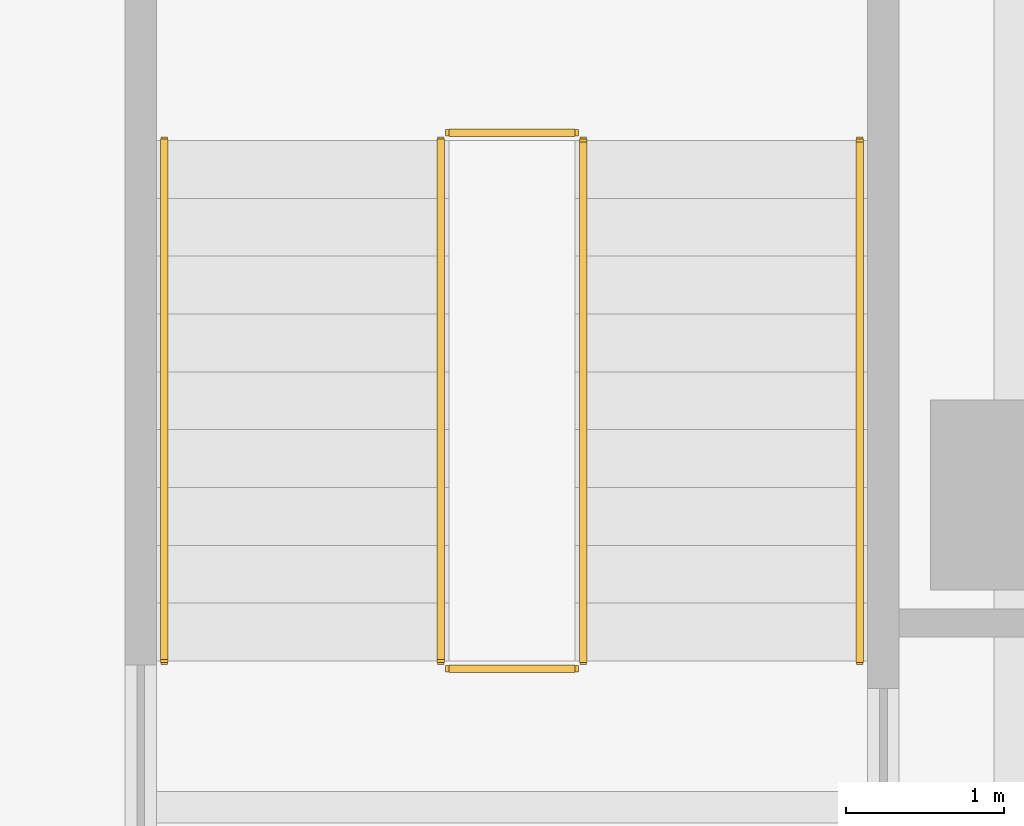
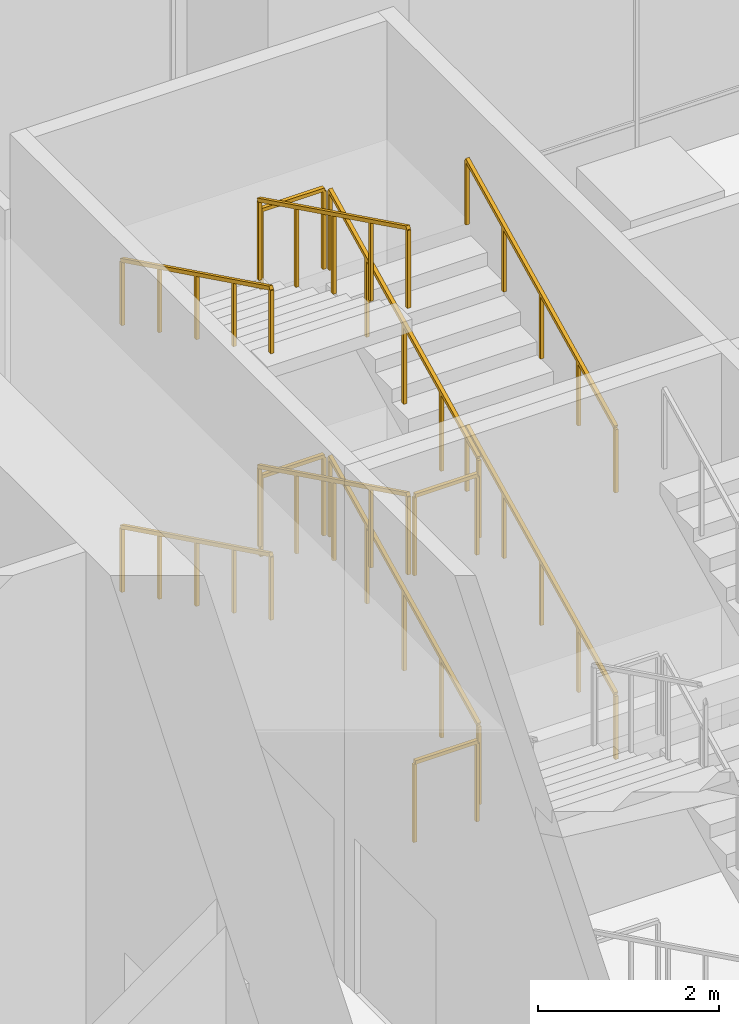
# One storey, part 40 of 41: 12 railings.
"""IFC4 building model written with IfcOpenShell, lengths in metres."""

import ifcopenshell
import ifcopenshell.guid

model = None  # the IFC model being written
_history = None  # IfcOwnerHistory: only IFC2X3 demands one
_inside = {}  # id of a spatial element -> (the spatial element, [elements in it])
_under = {}  # id of a project, library or spatial element -> (it, [spatial elements below it])
_declared = {}  # id of a project -> (the project, [libraries it declares])
_typed = {}  # id of a type object -> (the type object, [elements of that type])
_made_of = {}  # id of a material, layer set ... -> (it, [elements and type objects made of it])


def new_model(schema):
    """Start an empty IFC model of exactly this schema.

    Asked for "IFC4X3", IfcOpenShell would pick the latest addendum, in which some entities
    have other attributes; the version numbers below select the first issue.
    IFC2X3 requires an IfcOwnerHistory on every rooted entity: one is made here for all.
    """
    global model, _history
    if schema == "IFC4X3":
        model = ifcopenshell.file(schema_version=(4, 3, 0, 0))
    else:
        model = ifcopenshell.file(schema=schema)
    _inside.clear()
    _under.clear()
    _declared.clear()
    _typed.clear()
    _made_of.clear()
    _history = None
    if model.schema == "IFC2X3":
        org = make("IfcOrganization", Name="unknown")
        user = make(
            "IfcPersonAndOrganization",
            ThePerson=make("IfcPerson", FamilyName="unknown"),
            TheOrganization=org,
        )
        app = make(
            "IfcApplication",
            ApplicationDeveloper=org,
            Version="unknown",
            ApplicationFullName="unknown",
            ApplicationIdentifier="unknown",
        )
        _history = make(
            "IfcOwnerHistory",
            OwningUser=user,
            OwningApplication=app,
            ChangeAction="ADDED",
            CreationDate=0,
        )
    return model


def make(cls, **values):
    """One entity of the class cls with the attributes given. An attribute that is None is left unset."""
    return model.create_entity(
        cls, **{name: value for name, value in values.items() if value is not None}
    )


def rooted(cls, **values):
    """An entity with a GlobalId (a new one), such as an element, a storey or a relation."""
    return make(cls, GlobalId=ifcopenshell.guid.new(), OwnerHistory=_history, **values)


def si_unit(unit_type, name, prefix=None):
    """IfcSIUnit, for example si_unit("LENGTHUNIT", "METRE", prefix="MILLI")."""
    return make("IfcSIUnit", UnitType=unit_type, Prefix=prefix, Name=name)


def assignment(units):
    """IfcUnitAssignment: the units of a project."""
    return None if units is None else make("IfcUnitAssignment", Units=units)


def point(xyz):
    """IfcCartesianPoint."""
    return None if xyz is None else make("IfcCartesianPoint", Coordinates=xyz)


def direction(xyz):
    """IfcDirection."""
    return None if xyz is None else make("IfcDirection", DirectionRatios=xyz)


def frame(location, z_axis=None, x_axis=None):
    """IfcAxis2Placement3D, a coordinate frame: its origin and axes. An axis left out is left unset."""
    return make(
        "IfcAxis2Placement3D",
        Location=point(location),
        Axis=direction(z_axis),
        RefDirection=direction(x_axis),
    )


def frame_2d(location, x_axis=None):
    """IfcAxis2Placement2D, a coordinate frame in the plane: its origin and x axis."""
    return make(
        "IfcAxis2Placement2D", Location=point(location), RefDirection=direction(x_axis)
    )


def origin():
    """The frame at (0, 0, 0) with its axes left unset."""
    return frame((0.0, 0.0, 0.0))


def origin_2d():
    """The frame at (0, 0) in the plane with its x axis left unset."""
    return frame_2d((0.0, 0.0))


def place(relative_to, where):
    """IfcLocalPlacement: puts the frame where relative to a parent placement (None: the world)."""
    return make(
        "IfcLocalPlacement", PlacementRelTo=relative_to, RelativePlacement=where
    )


def context(
    kind, dimensions, precision=None, world=None, true_north=None, identifier=None
):
    """IfcGeometricRepresentationContext, for example the 3D "Model" context."""
    return make(
        "IfcGeometricRepresentationContext",
        ContextIdentifier=identifier,
        ContextType=kind,
        CoordinateSpaceDimension=dimensions,
        Precision=precision,
        WorldCoordinateSystem=world,
        TrueNorth=true_north,
    )


def subcontext(parent, identifier, kind, view, scale=None):
    """IfcGeometricRepresentationSubContext, for example "Body" below "Model"."""
    return make(
        "IfcGeometricRepresentationSubContext",
        ContextIdentifier=identifier,
        ContextType=kind,
        ParentContext=parent,
        TargetScale=scale,
        TargetView=view,
    )


def project(units=None, contexts=None):
    """IfcProject with its units and contexts."""
    return rooted(
        "IfcProject",
        Name="project",
        RepresentationContexts=contexts,
        UnitsInContext=assignment(units),
    )


def spatial(cls, under=None, at=None, **own):
    """A site, building, storey or space (cls), placed at a placement, below another one or the project."""
    s = rooted(cls, ObjectPlacement=at, **own)
    if under is not None:
        _under.setdefault(under.id(), (under, []))[1].append(s)
    return s


def profile(cls, at=None, kind="AREA", **sizes):
    """A parametric profile (cls). Its sizes go by their IFC names, for example OverallWidth=200.0."""
    return make(cls, ProfileType=kind, Position=at, **sizes)


def rectangle(**sizes):
    """IfcRectangleProfileDef."""
    return profile("IfcRectangleProfileDef", **sizes)


def extrude(swept, where, along, depth):
    """IfcExtrudedAreaSolid: the profile swept, set in the frame where, extruded along a direction by depth."""
    return make(
        "IfcExtrudedAreaSolid",
        SweptArea=swept,
        Position=where,
        ExtrudedDirection=direction(along),
        Depth=depth,
    )


def shape(context_of_items, identifier, shape_type, items):
    """IfcShapeRepresentation: the items that make up one representation, for example the "Body"."""
    return make(
        "IfcShapeRepresentation",
        ContextOfItems=context_of_items,
        RepresentationIdentifier=identifier,
        RepresentationType=shape_type,
        Items=items,
    )


def material(Name=None, Category=None):
    """IfcMaterial."""
    return make("IfcMaterial", Name=Name, Category=Category)


def made_of(thing, what):
    """Note that an element or type object is made of a material, layer set ...; save() writes the relation."""
    if what is not None:
        _made_of.setdefault(what.id(), (what, []))[1].append(thing)
    return thing


def type_object(cls, material=None, **own):
    """A type object (cls), such as IfcWallType, which elements share."""
    return made_of(rooted(cls, **own), material)


def element(
    cls,
    number,
    at=None,
    inside=None,
    cuts=None,
    type_object=None,
    material=None,
    context=None,
    identifier="Body",
    shape_type=None,
    held_by="IfcProductDefinitionShape",
    body=None,
    shapes=None,
    **own,
):
    """One element of the class cls, such as IfcWall. Its Tag is "e" and its number.

    at: its placement. inside: the storey or other place that contains it. cuts: it is an
    opening in that element (IfcRelVoidsElement). A single representation is given by context,
    identifier, shape_type and body (its items); several are given by shapes. held_by: the class
    of the entity that holds the representations. save() writes the other relations.
    """
    e = rooted(cls, Tag="e%d" % number, ObjectPlacement=at, **own)
    if body is not None:
        shapes = [shape(context, identifier, shape_type, body)]
    if shapes is not None:
        e.Representation = make(held_by, Representations=shapes)
    if inside is not None:
        _inside.setdefault(inside.id(), (inside, []))[1].append(e)
    if cuts is not None:
        rooted(
            "IfcRelVoidsElement", RelatingBuildingElement=cuts, RelatedOpeningElement=e
        )
    if type_object is not None:
        _typed.setdefault(type_object.id(), (type_object, []))[1].append(e)
    return made_of(e, material)


def aggregate(whole, parts):
    """IfcRelAggregates: a whole, such as a stair, and the parts it consists of."""
    return rooted("IfcRelAggregates", RelatingObject=whole, RelatedObjects=parts)


def save(model, path):
    """Write the relations noted so far, then the file.

    IfcRelAggregates (storeys below a building ...), IfcRelContainedInSpatialStructure (elements
    in a storey), IfcRelDefinesByType, IfcRelAssociatesMaterial and IfcRelDeclares: one each for
    every whole, place, type object, material and project.
    """
    for whole, parts in _under.values():
        aggregate(whole, parts)
    for where, things in _inside.values():
        rooted(
            "IfcRelContainedInSpatialStructure",
            RelatedElements=things,
            RelatingStructure=where,
        )
    for kind, things in _typed.values():
        rooted("IfcRelDefinesByType", RelatedObjects=things, RelatingType=kind)
    for what, things in _made_of.values():
        rooted("IfcRelAssociatesMaterial", RelatedObjects=things, RelatingMaterial=what)
    for by, libraries in _declared.values():
        rooted("IfcRelDeclares", RelatingContext=by, RelatedDefinitions=libraries)
    model.write(path)


model = new_model("IFC4")

# Units and contexts
model_context = context("Model", 3, precision=1e-05, world=origin(), true_north=direction((0.0, 1.0)))
body_context = subcontext(model_context, "Body", "Model", "MODEL_VIEW")
ifc_project = project(units=[si_unit("LENGTHUNIT", "METRE"), si_unit("AREAUNIT", "SQUARE_METRE"), si_unit("VOLUMEUNIT", "CUBIC_METRE"), si_unit("PLANEANGLEUNIT", "RADIAN"), si_unit("MASSUNIT", "GRAM", prefix="KILO")], contexts=[model_context])

# Site, building, storey
site_placement = place(None, origin())
site = spatial("IfcSite", under=ifc_project, at=site_placement, CompositionType="ELEMENT")
building_placement = place(site_placement, origin())
building = spatial("IfcBuilding", under=site, at=building_placement, Name="Rattan Terrace Tower", CompositionType="ELEMENT")
storey_placement = place(building_placement, origin())
storey = spatial("IfcBuildingStorey", under=building, at=storey_placement, Name="L00", CompositionType="ELEMENT", Elevation=0.0)

# Railings
ifc_material_1 = material(Name="Powder-coated steel guard", Category="steel")
railing_type_1 = type_object("IfcRailingType", Name="Core stair guard", PredefinedType="GUARDRAIL", material=ifc_material_1)
railing_1_placement = place(storey_placement, frame((23.300048828125, 2.050048828125, 0.179931640625)))
element("IfcRailing", 1, at=railing_1_placement, inside=storey, type_object=railing_type_1, Name="L00 S7 stair guard 1", PredefinedType="GUARDRAIL", context=body_context, shape_type="SweptSolid", body=[
    extrude(rectangle(XDim=0.048095703125, YDim=0.048095703125, at=origin_2d()), frame((0.0, 0.0, 1.076171875), z_axis=(0.0, 0.897334421457, 0.441351261547), x_axis=(-1.0, 0.0, 0.0)), (0.0, 0.0, 1.0), 3.6708984375),
    extrude(rectangle(XDim=0.0419921875, YDim=0.0419921875, at=origin_2d()), origin(), (0.0, 0.0, 1.0), 1.052001953125),
    extrude(rectangle(XDim=0.0419921875, YDim=0.0419921875, at=origin_2d()), frame((0.0, 0.823486328125, 0.405029296875)), (0.0, 0.0, 1.0), 1.052001953125),
    extrude(rectangle(XDim=0.0419921875, YDim=0.0419921875, at=origin_2d()), frame((0.0, 1.64697265625, 0.81005859375)), (0.0, 0.0, 1.0), 1.052001953125),
    extrude(rectangle(XDim=0.0419921875, YDim=0.0419921875, at=origin_2d()), frame((0.0, 2.470458984375, 1.215087890625)), (0.0, 0.0, 1.0), 1.052001953125),
    extrude(rectangle(XDim=0.0419921875, YDim=0.0419921875, at=origin_2d()), frame((0.0, 3.2939453125, 1.6201171875)), (0.0, 0.0, 1.0), 1.052001953125),
])
railing_2_placement = place(storey_placement, frame((23.25, 5.39404296875, 1.800048828125)))
element("IfcRailing", 2, at=railing_2_placement, inside=storey, type_object=railing_type_1, Name="L00 S7 stair guard 2", PredefinedType="GUARDRAIL", context=body_context, shape_type="SweptSolid", body=[
    extrude(rectangle(XDim=0.048095703125, YDim=0.048095703125, at=origin_2d()), frame((0.0, 0.0, 1.076171875), z_axis=(-1.0, 0.0, 0.0), x_axis=(0.0, -1.0, 0.0)), (0.0, 0.0, 1.0), 0.800048828125),
    extrude(rectangle(XDim=0.0419921875, YDim=0.0419921875, at=origin_2d()), origin(), (0.0, 0.0, 1.0), 1.052001953125),
    extrude(rectangle(XDim=0.0419921875, YDim=0.0419921875, at=origin_2d()), frame((-0.800048828125, 0.0, 0.0)), (0.0, 0.0, 1.0), 1.052001953125),
])
railing_3_placement = place(storey_placement, frame((22.39990234375, 5.343994140625, 1.97998046875)))
element("IfcRailing", 3, at=railing_3_placement, inside=storey, type_object=railing_type_1, Name="L00 S7 stair guard 3", PredefinedType="GUARDRAIL", context=body_context, shape_type="SweptSolid", body=[
    extrude(rectangle(XDim=0.048095703125, YDim=0.048095703125, at=origin_2d()), frame((0.0, 0.0, 1.076171875), z_axis=(0.0, -0.897334421457, 0.441351261547), x_axis=(1.0, 0.0, 0.0)), (0.0, 0.0, 1.0), 3.6708984375),
    extrude(rectangle(XDim=0.0419921875, YDim=0.0419921875, at=origin_2d()), origin(), (0.0, 0.0, 1.0), 1.052001953125),
    extrude(rectangle(XDim=0.0419921875, YDim=0.0419921875, at=origin_2d()), frame((0.0, -0.823486328125, 0.405029296875)), (0.0, 0.0, 1.0), 1.052001953125),
    extrude(rectangle(XDim=0.0419921875, YDim=0.0419921875, at=origin_2d()), frame((0.0, -1.64697265625, 0.81005859375)), (0.0, 0.0, 1.0), 1.052001953125),
    extrude(rectangle(XDim=0.0419921875, YDim=0.0419921875, at=origin_2d()), frame((0.0, -2.470458984375, 1.215087890625)), (0.0, 0.0, 1.0), 1.052001953125),
    extrude(rectangle(XDim=0.0419921875, YDim=0.0419921875, at=origin_2d()), frame((0.0, -3.2939453125, 1.6201171875)), (0.0, 0.0, 1.0), 1.052001953125),
])
railing_4_placement = place(storey_placement, frame((23.25, 2.0, 3.60009765625)))
element("IfcRailing", 4, at=railing_4_placement, inside=storey, type_object=railing_type_1, Name="L00 S7 stair guard 4", PredefinedType="GUARDRAIL", context=body_context, shape_type="SweptSolid", body=[
    extrude(rectangle(XDim=0.048095703125, YDim=0.048095703125, at=origin_2d()), frame((0.0, 0.0, 1.076171875), z_axis=(-1.0, 0.0, 0.0), x_axis=(0.0, -1.0, 0.0)), (0.0, 0.0, 1.0), 0.800048828125),
    extrude(rectangle(XDim=0.0419921875, YDim=0.0419921875, at=origin_2d()), origin(), (0.0, 0.0, 1.0), 1.052001953125),
    extrude(rectangle(XDim=0.0419921875, YDim=0.0419921875, at=origin_2d()), frame((-0.800048828125, 0.0, 0.0)), (0.0, 0.0, 1.0), 1.052001953125),
])
railing_5_placement = place(storey_placement, frame((23.300048828125, 2.050048828125, 3.780029296875)))
element("IfcRailing", 5, at=railing_5_placement, inside=storey, type_object=railing_type_1, Name="L00 S7 stair guard 5", PredefinedType="GUARDRAIL", context=body_context, shape_type="SweptSolid", body=[
    extrude(rectangle(XDim=0.048095703125, YDim=0.048095703125, at=origin_2d()), frame((0.0, 0.0, 1.076171875), z_axis=(0.0, 0.897360760688, 0.441297705838), x_axis=(-1.0, 0.0, 0.0)), (0.0, 0.0, 1.0), 3.670654296875),
    extrude(rectangle(XDim=0.0419921875, YDim=0.0419921875, at=origin_2d()), origin(), (0.0, 0.0, 1.0), 1.052001953125),
    extrude(rectangle(XDim=0.0419921875, YDim=0.0419921875, at=origin_2d()), frame((0.0, 0.823486328125, 0.405029296875)), (0.0, 0.0, 1.0), 1.052001953125),
    extrude(rectangle(XDim=0.0419921875, YDim=0.0419921875, at=origin_2d()), frame((0.0, 1.64697265625, 0.81005859375)), (0.0, 0.0, 1.0), 1.052001953125),
    extrude(rectangle(XDim=0.0419921875, YDim=0.0419921875, at=origin_2d()), frame((0.0, 2.470458984375, 1.21484375)), (0.0, 0.0, 1.0), 1.052001953125),
    extrude(rectangle(XDim=0.0419921875, YDim=0.0419921875, at=origin_2d()), frame((0.0, 3.2939453125, 1.619873046875)), (0.0, 0.0, 1.0), 1.052001953125),
])
railing_6_placement = place(storey_placement, frame((23.25, 5.39404296875, 5.39990234375)))
element("IfcRailing", 6, at=railing_6_placement, inside=storey, type_object=railing_type_1, Name="L00 S7 stair guard 6", PredefinedType="GUARDRAIL", context=body_context, shape_type="SweptSolid", body=[
    extrude(rectangle(XDim=0.048095703125, YDim=0.048095703125, at=origin_2d()), frame((0.0, 0.0, 1.076171875), z_axis=(-1.0, 0.0, 0.0), x_axis=(0.0, -1.0, 0.0)), (0.0, 0.0, 1.0), 0.800048828125),
    extrude(rectangle(XDim=0.0419921875, YDim=0.0419921875, at=origin_2d()), origin(), (0.0, 0.0, 1.0), 1.052001953125),
    extrude(rectangle(XDim=0.0419921875, YDim=0.0419921875, at=origin_2d()), frame((-0.800048828125, 0.0, 0.0)), (0.0, 0.0, 1.0), 1.052001953125),
])
railing_7_placement = place(storey_placement, frame((22.39990234375, 5.343994140625, 5.580078125)))
element("IfcRailing", 7, at=railing_7_placement, inside=storey, type_object=railing_type_1, Name="L00 S7 stair guard 7", PredefinedType="GUARDRAIL", context=body_context, shape_type="SweptSolid", body=[
    extrude(rectangle(XDim=0.048095703125, YDim=0.048095703125, at=origin_2d()), frame((0.0, 0.0, 1.076171875), z_axis=(0.0, -0.897360760688, 0.441297705838), x_axis=(1.0, 0.0, 0.0)), (0.0, 0.0, 1.0), 3.670654296875),
    extrude(rectangle(XDim=0.0419921875, YDim=0.0419921875, at=origin_2d()), origin(), (0.0, 0.0, 1.0), 1.052001953125),
    extrude(rectangle(XDim=0.0419921875, YDim=0.0419921875, at=origin_2d()), frame((0.0, -0.823486328125, 0.405029296875)), (0.0, 0.0, 1.0), 1.052001953125),
    extrude(rectangle(XDim=0.0419921875, YDim=0.0419921875, at=origin_2d()), frame((0.0, -1.64697265625, 0.81005859375)), (0.0, 0.0, 1.0), 1.052001953125),
    extrude(rectangle(XDim=0.0419921875, YDim=0.0419921875, at=origin_2d()), frame((0.0, -2.470458984375, 1.21484375)), (0.0, 0.0, 1.0), 1.052001953125),
    extrude(rectangle(XDim=0.0419921875, YDim=0.0419921875, at=origin_2d()), frame((0.0, -3.2939453125, 1.619873046875)), (0.0, 0.0, 1.0), 1.052001953125),
])
railing_8_placement = place(storey_placement, frame((23.25, 2.0, 0.0)))
element("IfcRailing", 8, at=railing_8_placement, inside=storey, type_object=railing_type_1, Name="L00 S7 stair guard 8", PredefinedType="GUARDRAIL", context=body_context, shape_type="SweptSolid", body=[
    extrude(rectangle(XDim=0.048095703125, YDim=0.048095703125, at=origin_2d()), frame((0.0, 0.0, 1.076171875), z_axis=(-1.0, 0.0, 0.0), x_axis=(0.0, -1.0, 0.0)), (0.0, 0.0, 1.0), 0.800048828125),
    extrude(rectangle(XDim=0.0419921875, YDim=0.0419921875, at=origin_2d()), origin(), (0.0, 0.0, 1.0), 1.052001953125),
    extrude(rectangle(XDim=0.0419921875, YDim=0.0419921875, at=origin_2d()), frame((-0.800048828125, 0.0, 0.0)), (0.0, 0.0, 1.0), 1.052001953125),
])
ifc_material_2 = material(Name="Powder-coated steel handrail", Category="steel")
railing_type_2 = type_object("IfcRailingType", Name="Core stair handrail", PredefinedType="HANDRAIL", material=ifc_material_2)
railing_9_placement = place(storey_placement, frame((25.050048828125, 2.050048828125, 0.179931640625)))
element("IfcRailing", 9, at=railing_9_placement, inside=storey, type_object=railing_type_2, Name="L00 S7 stair handrail 1", PredefinedType="HANDRAIL", context=body_context, shape_type="SweptSolid", body=[
    extrude(rectangle(XDim=0.048095703125, YDim=0.048095703125, at=origin_2d()), frame((0.0, 0.0, 0.8759765625), z_axis=(0.0, 0.897334421457, 0.441351261547), x_axis=(-1.0, 0.0, 0.0)), (0.0, 0.0, 1.0), 3.6708984375),
    extrude(rectangle(XDim=0.0419921875, YDim=0.0419921875, at=origin_2d()), origin(), (0.0, 0.0, 1.0), 0.851806640625),
    extrude(rectangle(XDim=0.0419921875, YDim=0.0419921875, at=origin_2d()), frame((0.0, 0.823486328125, 0.405029296875)), (0.0, 0.0, 1.0), 0.851806640625),
    extrude(rectangle(XDim=0.0419921875, YDim=0.0419921875, at=origin_2d()), frame((0.0, 1.64697265625, 0.81005859375)), (0.0, 0.0, 1.0), 0.851806640625),
    extrude(rectangle(XDim=0.0419921875, YDim=0.0419921875, at=origin_2d()), frame((0.0, 2.470458984375, 1.215087890625)), (0.0, 0.0, 1.0), 0.851806640625),
    extrude(rectangle(XDim=0.0419921875, YDim=0.0419921875, at=origin_2d()), frame((0.0, 3.2939453125, 1.6201171875)), (0.0, 0.0, 1.0), 0.851806640625),
])
railing_10_placement = place(storey_placement, frame((20.64990234375, 5.343994140625, 1.97998046875)))
element("IfcRailing", 10, at=railing_10_placement, inside=storey, type_object=railing_type_2, Name="L00 S7 stair handrail 2", PredefinedType="HANDRAIL", context=body_context, shape_type="SweptSolid", body=[
    extrude(rectangle(XDim=0.048095703125, YDim=0.048095703125, at=origin_2d()), frame((0.0, 0.0, 0.8759765625), z_axis=(0.0, -0.897334421457, 0.441351261547), x_axis=(1.0, 0.0, 0.0)), (0.0, 0.0, 1.0), 3.6708984375),
    extrude(rectangle(XDim=0.0419921875, YDim=0.0419921875, at=origin_2d()), origin(), (0.0, 0.0, 1.0), 0.851806640625),
    extrude(rectangle(XDim=0.0419921875, YDim=0.0419921875, at=origin_2d()), frame((0.0, -0.823486328125, 0.405029296875)), (0.0, 0.0, 1.0), 0.851806640625),
    extrude(rectangle(XDim=0.0419921875, YDim=0.0419921875, at=origin_2d()), frame((0.0, -1.64697265625, 0.81005859375)), (0.0, 0.0, 1.0), 0.851806640625),
    extrude(rectangle(XDim=0.0419921875, YDim=0.0419921875, at=origin_2d()), frame((0.0, -2.470458984375, 1.215087890625)), (0.0, 0.0, 1.0), 0.851806640625),
    extrude(rectangle(XDim=0.0419921875, YDim=0.0419921875, at=origin_2d()), frame((0.0, -3.2939453125, 1.6201171875)), (0.0, 0.0, 1.0), 0.851806640625),
])
railing_11_placement = place(storey_placement, frame((25.050048828125, 2.050048828125, 3.780029296875)))
element("IfcRailing", 11, at=railing_11_placement, inside=storey, type_object=railing_type_2, Name="L00 S7 stair handrail 3", PredefinedType="HANDRAIL", context=body_context, shape_type="SweptSolid", body=[
    extrude(rectangle(XDim=0.048095703125, YDim=0.048095703125, at=origin_2d()), frame((0.0, 0.0, 0.8759765625), z_axis=(0.0, 0.897360760688, 0.441297705838), x_axis=(-1.0, 0.0, 0.0)), (0.0, 0.0, 1.0), 3.670654296875),
    extrude(rectangle(XDim=0.0419921875, YDim=0.0419921875, at=origin_2d()), origin(), (0.0, 0.0, 1.0), 0.851806640625),
    extrude(rectangle(XDim=0.0419921875, YDim=0.0419921875, at=origin_2d()), frame((0.0, 0.823486328125, 0.405029296875)), (0.0, 0.0, 1.0), 0.851806640625),
    extrude(rectangle(XDim=0.0419921875, YDim=0.0419921875, at=origin_2d()), frame((0.0, 1.64697265625, 0.81005859375)), (0.0, 0.0, 1.0), 0.851806640625),
    extrude(rectangle(XDim=0.0419921875, YDim=0.0419921875, at=origin_2d()), frame((0.0, 2.470458984375, 1.21484375)), (0.0, 0.0, 1.0), 0.851806640625),
    extrude(rectangle(XDim=0.0419921875, YDim=0.0419921875, at=origin_2d()), frame((0.0, 3.2939453125, 1.619873046875)), (0.0, 0.0, 1.0), 0.851806640625),
])
railing_12_placement = place(storey_placement, frame((20.64990234375, 5.343994140625, 5.580078125)))
element("IfcRailing", 12, at=railing_12_placement, inside=storey, type_object=railing_type_2, Name="L00 S7 stair handrail 4", PredefinedType="HANDRAIL", context=body_context, shape_type="SweptSolid", body=[
    extrude(rectangle(XDim=0.048095703125, YDim=0.048095703125, at=origin_2d()), frame((0.0, 0.0, 0.8759765625), z_axis=(0.0, -0.897360760688, 0.441297705838), x_axis=(1.0, 0.0, 0.0)), (0.0, 0.0, 1.0), 3.670654296875),
    extrude(rectangle(XDim=0.0419921875, YDim=0.0419921875, at=origin_2d()), origin(), (0.0, 0.0, 1.0), 0.851806640625),
    extrude(rectangle(XDim=0.0419921875, YDim=0.0419921875, at=origin_2d()), frame((0.0, -0.823486328125, 0.405029296875)), (0.0, 0.0, 1.0), 0.851806640625),
    extrude(rectangle(XDim=0.0419921875, YDim=0.0419921875, at=origin_2d()), frame((0.0, -1.64697265625, 0.81005859375)), (0.0, 0.0, 1.0), 0.851806640625),
    extrude(rectangle(XDim=0.0419921875, YDim=0.0419921875, at=origin_2d()), frame((0.0, -2.470458984375, 1.21484375)), (0.0, 0.0, 1.0), 0.851806640625),
    extrude(rectangle(XDim=0.0419921875, YDim=0.0419921875, at=origin_2d()), frame((0.0, -3.2939453125, 1.619873046875)), (0.0, 0.0, 1.0), 0.851806640625),
])

save(model, "model.ifc")
